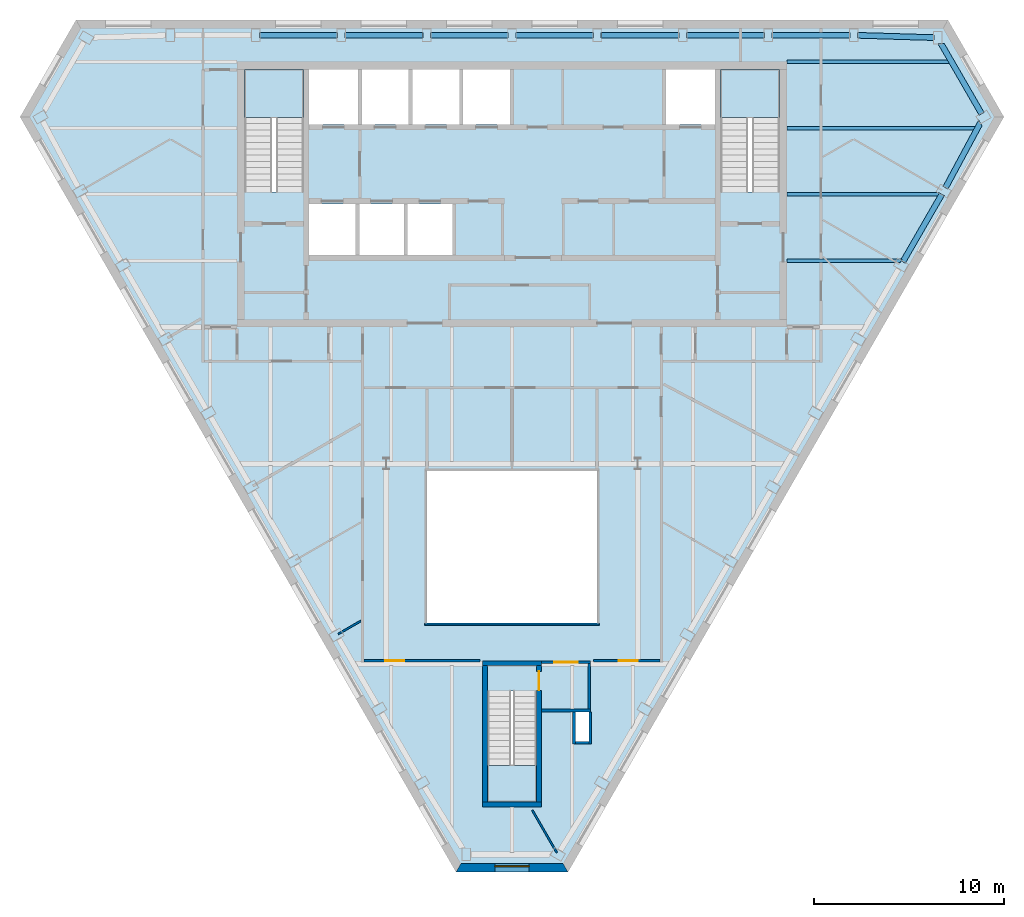
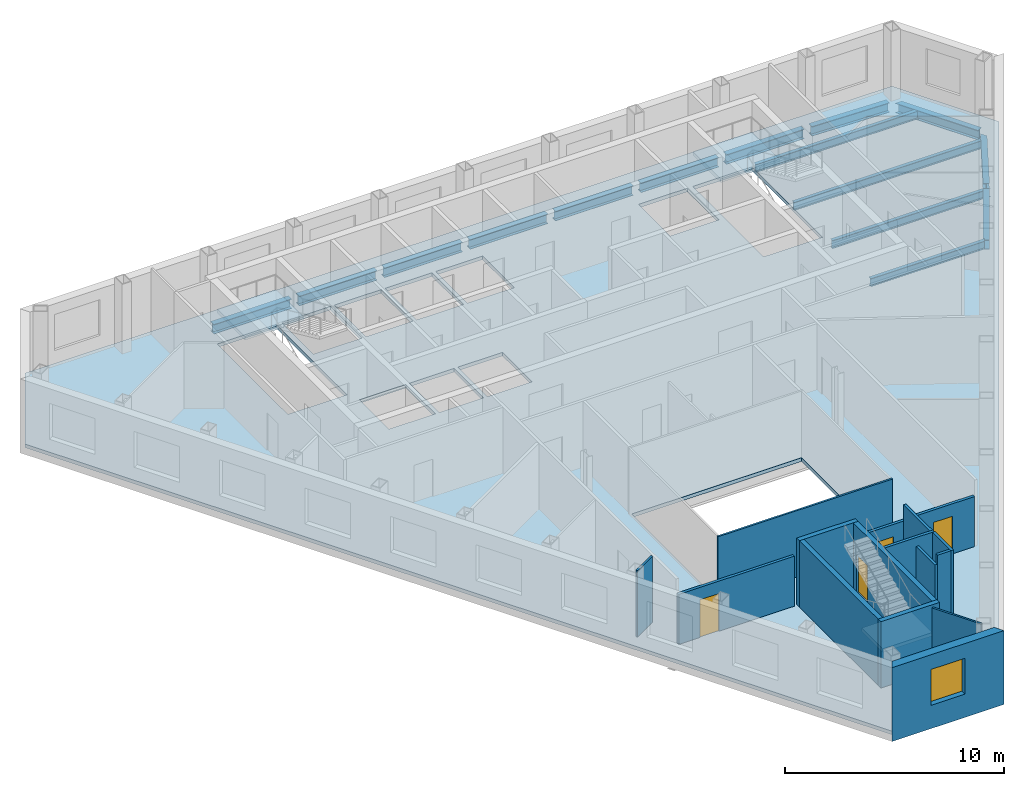
# One storey, part 3 of 10: 16 walls, 15 beams, 4 doors, 4 slabs, 1 window, 5 openings, 3 elements without a shape of their own.
"""IFC4 building model written with IfcOpenShell, lengths in metres."""

from ifc_helpers import new_model, si_unit, direction, frame, frame_2d, origin, origin_2d, place, context, subcontext, project, spatial, polyline, rectangle, i_section, outline, extrude, clip, halfspace, material, layer, layer_set, material_profile, profile_set, type_object, element, fill, aggregate, save


model = new_model("IFC4")

# Units and contexts
model_context = context("Model", 3, precision=1e-05, world=origin(), true_north=direction((0.0, 1.0)))
body_context = subcontext(model_context, "Body", "Model", "MODEL_VIEW")
ifc_project = project(units=[si_unit("LENGTHUNIT", "METRE"), si_unit("AREAUNIT", "SQUARE_METRE"), si_unit("VOLUMEUNIT", "CUBIC_METRE"), si_unit("PLANEANGLEUNIT", "RADIAN"), si_unit("MASSUNIT", "GRAM", prefix="KILO")], contexts=[model_context])

# Site, building, storey
site_placement = place(None, origin())
site = spatial("IfcSite", under=ifc_project, at=site_placement, CompositionType="ELEMENT")
building_placement = place(site_placement, origin())
building = spatial("IfcBuilding", under=site, at=building_placement, Name="Njiva Tower", CompositionType="ELEMENT")
storey_placement = place(building_placement, frame((0.0, 0.0, 264.9)))
storey = spatial("IfcBuildingStorey", under=building, at=storey_placement, Name="L60", CompositionType="ELEMENT", Elevation=264.9)

# Beams
ifc_material_1 = material(Name="Steel S355 J2", Category="steel")
ifc_material_profile_1 = material_profile(ifc_material_1, i_section(OverallWidth=0.19, OverallDepth=0.45, WebThickness=0.0094, FlangeThickness=0.0146, at=origin_2d()), Name="IPE 450")
ifc_profile_set_1 = profile_set([ifc_material_profile_1], Name="Steel S355 J2")
beam_type_1 = type_object("IfcBeamType", Name="B37 Floor beam to the core IPE 450", PredefinedType="BEAM", material=ifc_profile_set_1)
beam_1_placement = place(storey_placement, frame((14.5, 7.5, -0.425), z_axis=(1.0, 0.0, 0.0), x_axis=(0.0, 1.0, 0.0)))
element("IfcBeam", 1, at=beam_1_placement, inside=storey, type_object=beam_type_1, Name="Floor beam to the core S19-B006", PredefinedType="BEAM", context=body_context, shape_type="Clipping", body=[
    clip(extrude(i_section(OverallWidth=0.19, OverallDepth=0.45, WebThickness=0.0094, FlangeThickness=0.0146, at=origin_2d()), origin(), (0.0, 0.0, 1.0), 6.108), halfspace(frame((-0.025, 0.0, 6.019), z_axis=(-0.499998009787, 0.0, 0.866026552831), x_axis=(0.0, 1.0, 0.0)), False)),
])
beam_2_placement = place(storey_placement, frame((14.5, 11.0, -0.425), z_axis=(1.0, 0.0, 0.0), x_axis=(0.0, 1.0, 0.0)))
element("IfcBeam", 2, at=beam_2_placement, inside=storey, type_object=beam_type_1, Name="Floor beam to the core S19-B008", PredefinedType="BEAM", context=body_context, shape_type="Clipping", body=[
    clip(extrude(i_section(OverallWidth=0.19, OverallDepth=0.45, WebThickness=0.0094, FlangeThickness=0.0146, at=origin_2d()), origin(), (0.0, 0.0, 1.0), 8.368), halfspace(frame((0.0433, 0.0, 8.108), z_axis=(0.866026552831, 0.0, 0.499998009787), x_axis=(0.0, 1.0, 0.0)), False)),
])
beam_3_placement = place(storey_placement, frame((14.5, 18.0, -0.425), z_axis=(1.0, 0.0, 0.0), x_axis=(0.0, 1.0, 0.0)))
element("IfcBeam", 3, at=beam_3_placement, inside=storey, type_object=beam_type_1, Name="Floor beam to the core S19-B010", PredefinedType="BEAM", context=body_context, shape_type="Clipping", body=[
    clip(extrude(i_section(OverallWidth=0.19, OverallDepth=0.45, WebThickness=0.0094, FlangeThickness=0.0146, at=origin_2d()), origin(), (0.0, 0.0, 1.0), 8.647), halfspace(frame((0.025, 0.0, 8.5578), z_axis=(0.499998009787, 0.0, 0.866026552831), x_axis=(0.0, 1.0, 0.0)), False)),
])
ifc_material_profile_2 = material_profile(ifc_material_1, i_section(OverallWidth=0.3, OverallDepth=0.54, WebThickness=0.0125, FlangeThickness=0.024, at=origin_2d()), Name="HEA 550")
ifc_profile_set_2 = profile_set([ifc_material_profile_2], Name="Steel S355 J2")
beam_type_2 = type_object("IfcBeamType", Name="B39 Short-span spandrel beam HEA 550", PredefinedType="SPANDREL", material=ifc_profile_set_2)
beam_4_placement = place(storey_placement, frame((22.252, 19.273, -0.47), z_axis=(-0.999547767332, 0.030070929848, 0.0), x_axis=(-0.030070929848, -0.999547767332, 0.0)))
element("IfcBeam", 4, at=beam_4_placement, inside=storey, type_object=beam_type_2, Name="Short-span spandrel beam S19-B121", PredefinedType="SPANDREL", context=body_context, shape_type="SweptSolid", body=[
    extrude(i_section(OverallWidth=0.3, OverallDepth=0.54, WebThickness=0.0125, FlangeThickness=0.024, at=origin_2d()), origin(), (0.0, 0.0, 1.0), 4.0238),
])
beam_5_placement = place(storey_placement, frame((17.826, 19.4, -0.47), z_axis=(-1.0, 0.0, 0.0), x_axis=(0.0, -1.0, 0.0)))
element("IfcBeam", 5, at=beam_5_placement, inside=storey, type_object=beam_type_2, Name="Short-span spandrel beam S19-B115", PredefinedType="SPANDREL", context=body_context, shape_type="SweptSolid", body=[
    extrude(i_section(OverallWidth=0.3, OverallDepth=0.54, WebThickness=0.0125, FlangeThickness=0.024, at=origin_2d()), origin(), (0.0, 0.0, 1.0), 4.106),
])
beam_6_placement = place(storey_placement, frame((13.32, 19.4, -0.47), z_axis=(-1.0, 0.0, 0.0), x_axis=(0.0, -1.0, 0.0)))
element("IfcBeam", 6, at=beam_6_placement, inside=storey, type_object=beam_type_2, Name="Short-span spandrel beam S19-B109", PredefinedType="SPANDREL", context=body_context, shape_type="SweptSolid", body=[
    extrude(i_section(OverallWidth=0.3, OverallDepth=0.54, WebThickness=0.0125, FlangeThickness=0.024, at=origin_2d()), origin(), (0.0, 0.0, 1.0), 4.107),
])
beam_7_placement = place(storey_placement, frame((8.813, 19.4, -0.47), z_axis=(-1.0, 0.0, 0.0), x_axis=(0.0, -1.0, 0.0)))
element("IfcBeam", 7, at=beam_7_placement, inside=storey, type_object=beam_type_2, Name="Short-span spandrel beam S19-B103", PredefinedType="SPANDREL", context=body_context, shape_type="SweptSolid", body=[
    extrude(i_section(OverallWidth=0.3, OverallDepth=0.54, WebThickness=0.0125, FlangeThickness=0.024, at=origin_2d()), origin(), (0.0, 0.0, 1.0), 4.106),
])
for number, where, z_axis, x_axis, name in (
    (8, (4.307, 19.4, -0.47), (-1.0, 0.0, 0.0), (0.0, -1.0, 0.0), "Short-span spandrel beam S19-B100"),
    (9, (-0.2, 19.4, -0.47), (-1.0, 0.0, 0.0), (0.0, -1.0, 0.0), "Short-span spandrel beam S19-B097"),
):
    element("IfcBeam", number, at=place(storey_placement, frame(where, z_axis=z_axis, x_axis=x_axis)), inside=storey, type_object=beam_type_2, Name=name, PredefinedType="SPANDREL", context=body_context, shape_type="SweptSolid", body=[
        extrude(i_section(OverallWidth=0.3, OverallDepth=0.54, WebThickness=0.0125, FlangeThickness=0.024, at=origin_2d()), origin(), (0.0, 0.0, 1.0), 4.107),
    ])
beam_8_placement = place(storey_placement, frame((-4.707, 19.4, -0.47), z_axis=(-1.0, 0.0, 0.0), x_axis=(0.0, -1.0, 0.0)))
element("IfcBeam", 10, at=beam_8_placement, inside=storey, type_object=beam_type_2, Name="Short-span spandrel beam S19-B092", PredefinedType="SPANDREL", context=body_context, shape_type="SweptSolid", body=[
    extrude(i_section(OverallWidth=0.3, OverallDepth=0.54, WebThickness=0.0125, FlangeThickness=0.024, at=origin_2d()), origin(), (0.0, 0.0, 1.0), 4.106),
])
for number, where, z_axis, x_axis, name in (
    (11, (-9.213, 19.4, -0.47), (-1.0, 0.0, 0.0), (0.0, -1.0, 0.0), "Short-span spandrel beam S19-B086"),
    (12, (20.62, 7.449, -0.47), (0.49988405051, 0.866092336905, 0.0), (-0.866092336905, 0.49988405051, 0.0), "Short-span spandrel beam S19-B126"),
):
    element("IfcBeam", number, at=place(storey_placement, frame(where, z_axis=z_axis, x_axis=x_axis)), inside=storey, type_object=beam_type_2, Name=name, PredefinedType="SPANDREL", context=body_context, shape_type="SweptSolid", body=[
        extrude(i_section(OverallWidth=0.3, OverallDepth=0.54, WebThickness=0.0125, FlangeThickness=0.024, at=origin_2d()), origin(), (0.0, 0.0, 1.0), 4.107),
    ])
beam_9_placement = place(storey_placement, frame((22.87, 11.359, -0.47), z_axis=(0.473745879113, 0.880661593362, 0.0), x_axis=(-0.880661593362, 0.473745879113, 0.0)))
element("IfcBeam", 13, at=beam_9_placement, inside=storey, type_object=beam_type_2, Name="Short-span spandrel beam S19-B130", PredefinedType="SPANDREL", context=body_context, shape_type="Clipping", body=[
    clip(extrude(i_section(OverallWidth=0.3, OverallDepth=0.54, WebThickness=0.0125, FlangeThickness=0.024, at=origin_2d()), origin(), (0.0, 0.0, 1.0), 3.9885), halfspace(frame((-0.0262, 0.0, 3.8589), z_axis=(-0.525804327209, 0.0, 0.850605554583), x_axis=(0.0, 1.0, 0.0)), False)),
])
beam_10_placement = place(storey_placement, frame((24.773, 15.255, -0.47), z_axis=(-0.500153222552, 0.865936922628, 0.0), x_axis=(-0.865936922628, -0.500153222552, 0.0)))
element("IfcBeam", 14, at=beam_10_placement, inside=storey, type_object=beam_type_2, Name="Short-span spandrel beam S19-B127", PredefinedType="SPANDREL", context=body_context, shape_type="Clipping", body=[
    clip(extrude(i_section(OverallWidth=0.3, OverallDepth=0.54, WebThickness=0.0125, FlangeThickness=0.024, at=origin_2d()), origin(), (0.0, 0.0, 1.0), 4.3937), halfspace(frame((-0.0254, 0.0, 4.272), z_axis=(-0.500153222552, 0.0, 0.865936922628), x_axis=(0.0, 1.0, 0.0)), False)),
])
ifc_material_profile_3 = material_profile(ifc_material_1, i_section(OverallWidth=0.19, OverallDepth=0.45, WebThickness=0.0094, FlangeThickness=0.0146, at=origin_2d()), Name="IPE 450")
ifc_profile_set_3 = profile_set([ifc_material_profile_3], Name="Steel S355 J2")
beam_type_3 = type_object("IfcBeamType", Name="B45 Long-span floor beam to the core IPE 450", PredefinedType="BEAM", material=ifc_profile_set_3)
beam_11_placement = place(storey_placement, frame((14.5, 14.5, -0.425), z_axis=(1.0, 0.0, 0.0), x_axis=(0.0, 1.0, 0.0)))
element("IfcBeam", 15, at=beam_11_placement, inside=storey, type_object=beam_type_3, Name="Long-span floor beam to the core S19-B009", PredefinedType="BEAM", context=body_context, shape_type="Clipping", body=[
    clip(extrude(i_section(OverallWidth=0.19, OverallDepth=0.45, WebThickness=0.0094, FlangeThickness=0.0146, at=origin_2d()), origin(), (0.0, 0.0, 1.0), 10.017), halfspace(frame((-0.0237, 0.0, 9.9333), z_axis=(-0.47376166762, 0.0, 0.88065309986), x_axis=(0.0, 1.0, 0.0)), False)),
])

# Stair, slab
ifc_material_2 = material(Name="Concrete C40/50", Category="concrete")
stair_type_1 = type_object("IfcStairType", Name="ST3 Exit stair 1450", PredefinedType="HALF_TURN_STAIR", material=ifc_material_2)
stair_1_placement = place(storey_placement, origin())
stair_1 = element("IfcStair", 16, at=stair_1_placement, inside=storey, type_object=stair_type_1, Name="Stair A", PredefinedType="HALF_TURN_STAIR")
ifc_layer_1 = layer(ifc_material_2, 0.2)
ifc_layer_set_1 = layer_set([ifc_layer_1], Name="Concrete C40/50")
slab_type_1 = type_object("IfcSlabType", Name="FL9 Stair landing 200", PredefinedType="LANDING", material=ifc_layer_set_1)
slab_1_placement = place(storey_placement, frame((0.0, 0.0, 1.75)))
slab_1 = element("IfcSlab", 17, at=slab_1_placement, type_object=slab_type_1, Name="ST-A landing 1", PredefinedType="LANDING", context=body_context, shape_type="SweptSolid", body=[
    extrude(outline(polyline([(-14.106, 15.06), (-10.994, 15.06), (-10.994, 17.6), (-14.106, 17.6), (-14.106, 15.06)])), origin(), (0.0, 0.0, 1.0), 0.2),
])
aggregate(stair_1, [slab_1])

stair_2_placement = place(storey_placement, origin())
stair_2 = element("IfcStair", 18, at=stair_2_placement, inside=storey, type_object=stair_type_1, Name="Stair B", PredefinedType="HALF_TURN_STAIR")
slab_2_placement = place(storey_placement, frame((0.0, 0.0, 1.75)))
slab_2 = element("IfcSlab", 19, at=slab_2_placement, type_object=slab_type_1, Name="ST-B landing 1", PredefinedType="LANDING", context=body_context, shape_type="SweptSolid", body=[
    extrude(outline(polyline([(10.994, 15.06), (14.106, 15.06), (14.106, 17.6), (10.994, 17.6), (10.994, 15.06)])), origin(), (0.0, 0.0, 1.0), 0.2),
])
aggregate(stair_2, [slab_2])

stair_type_2 = type_object("IfcStairType", Name="ST1 Exit stair 1250", PredefinedType="HALF_TURN_STAIR", material=ifc_material_2)
stair_3_placement = place(storey_placement, origin())
stair_3 = element("IfcStair", 20, at=stair_3_placement, inside=storey, type_object=stair_type_2, Name="Stair C", PredefinedType="HALF_TURN_STAIR")
slab_3_placement = place(storey_placement, frame((0.0, 0.0, 1.75)))
slab_3 = element("IfcSlab", 21, at=slab_3_placement, type_object=slab_type_1, Name="ST-C landing 1", PredefinedType="LANDING", context=body_context, shape_type="SweptSolid", body=[
    extrude(outline(polyline([(-1.306, -21.05), (1.306, -21.05), (1.306, -19.12), (-1.306, -19.12), (-1.306, -21.05)])), origin(), (0.0, 0.0, 1.0), 0.2),
])
aggregate(stair_3, [slab_3])

# Slab
ifc_material_3 = material(Name="Concrete C30/37", Category="concrete")
ifc_layer_2 = layer(ifc_material_3, 0.2)
ifc_layer_set_2 = layer_set([ifc_layer_2], Name="Concrete C30/37")
slab_type_2 = type_object("IfcSlabType", Name="SL16 Composite floor slab 200", PredefinedType="FLOOR", material=ifc_layer_set_2)
slab_4_placement = place(storey_placement, frame((0.0, 0.0, -0.2)))
element("IfcSlab", 22, at=slab_4_placement, inside=storey, type_object=slab_type_2, Name="Floor slab L60", PredefinedType="FLOOR", context=body_context, shape_type="SweptSolid", body=[
    extrude(outline(polyline([(25.6902, 15.0818), (2.8251, -24.5217), (-2.8251, -24.5217), (-25.6902, 15.0818), (-22.8651, 19.975), (22.8651, 19.975), (25.6902, 15.0818)]), holes=[polyline([(10.994, 11.13), (14.106, 11.13), (14.106, 17.6), (10.994, 17.6), (10.994, 11.13)]), polyline([(8.125, 14.7), (10.7, 14.7), (10.7, 17.6), (8.125, 17.6), (8.125, 14.7)]), polyline([(4.48, -11.6), (4.48, -3.6), (-4.48, -3.6), (-4.48, -11.6), (4.48, -11.6)]), polyline([(3.35, -17.85), (4.05, -17.85), (4.05, -16.3), (3.35, -16.3), (3.35, -17.85)]), polyline([(-1.306, -21.05), (1.306, -21.05), (1.306, -15.19), (-1.306, -15.19), (-1.306, -21.05)]), polyline([(-2.575, 14.7), (-0.1, 14.7), (-0.1, 17.6), (-2.575, 17.6), (-2.575, 14.7)]), polyline([(-2.775, 14.7), (-2.775, 17.6), (-5.25, 17.6), (-5.25, 14.7), (-2.775, 14.7)]), polyline([(-5.5, 7.8), (-3.15, 7.8), (-3.15, 10.5), (-5.5, 10.5), (-5.5, 7.8)]), polyline([(-7.925, 14.7), (-5.45, 14.7), (-5.45, 17.6), (-7.925, 17.6), (-7.925, 14.7)]), polyline([(-8.05, 7.8), (-5.7, 7.8), (-5.7, 10.5), (-8.05, 10.5), (-8.05, 7.8)]), polyline([(-10.7, 14.7), (-8.125, 14.7), (-8.125, 17.6), (-10.7, 17.6), (-10.7, 14.7)]), polyline([(-8.25, 7.8), (-8.25, 10.5), (-10.7, 10.5), (-10.7, 7.8), (-8.25, 7.8)]), polyline([(-10.994, 11.13), (-10.994, 17.6), (-14.106, 17.6), (-14.106, 11.13), (-10.994, 11.13)])]), origin(), (0.0, 0.0, 1.0), 0.2),
])

# Walls
ifc_material_4 = material(Name="Gypsum board on steel studs", Category="gypsum")
ifc_layer_3 = layer(ifc_material_4, 0.1)
ifc_layer_set_3 = layer_set([ifc_layer_3], Name="Gypsum board on steel studs")
wall_type_1 = type_object("IfcWallType", Name="WT20 Gypsum partition 100", PredefinedType="PARTITIONING", material=ifc_layer_set_3)
wall_1_placement = place(storey_placement, frame((-9.167, -12.188, 0.0), z_axis=(0.0, 0.0, 1.0), x_axis=(0.866124840845, 0.499827730395, 0.0)))
element("IfcWall", 23, at=wall_1_placement, inside=storey, type_object=wall_type_1, Name="Partition S19-P013", PredefinedType="PARTITIONING", context=body_context, shape_type="SweptSolid", body=[
    extrude(rectangle(XDim=1.3705, YDim=0.1, at=frame_2d((0.6852, 0.0))), origin(), (0.0, 0.0, 1.0), 3.7),
])
wall_2_placement = place(storey_placement, frame((1.066, -21.475, 0.0), z_axis=(0.0, 0.0, 1.0), x_axis=(0.499944387978, -0.86605750902, 0.0)))
element("IfcWall", 24, at=wall_2_placement, inside=storey, type_object=wall_type_1, Name="Partition S19-P019", PredefinedType="PARTITIONING", context=body_context, shape_type="SweptSolid", body=[
    extrude(rectangle(XDim=2.6003, YDim=0.1, at=frame_2d((1.3002, 0.0))), origin(), (0.0, 0.0, 1.0), 3.7),
])

# Wall, opening, door
ifc_layer_4 = layer(ifc_material_4, 0.15)
ifc_layer_set_4 = layer_set([ifc_layer_4], Name="Gypsum board on steel studs")
wall_type_2 = type_object("IfcWallType", Name="WT21 Compartment wall 150", PredefinedType="PARTITIONING", material=ifc_layer_set_4)
wall_3_placement = place(storey_placement, frame((-7.805, -13.6, 0.0), z_axis=(0.0, 0.0, 1.0), x_axis=(1.0, 0.0, 0.0)))
wall_3 = element("IfcWall", 25, at=wall_3_placement, inside=storey, type_object=wall_type_2, Name="Partition S19-P015", PredefinedType="PARTITIONING", context=body_context, shape_type="SweptSolid", body=[
    extrude(rectangle(XDim=6.105, YDim=0.15, at=frame_2d((3.0525, 0.0))), origin(), (0.0, 0.0, 1.0), 2.79),
])
opening_1_placement = place(wall_3_placement, frame((1.118, 0.0, 0.0)))
opening_1 = element("IfcOpeningElement", 26, at=opening_1_placement, cuts=wall_3, Name="Opening S19-D011", PredefinedType="OPENING", context=body_context, shape_type="SweptSolid", body=[
    extrude(rectangle(XDim=1.0, YDim=2.1, at=frame_2d((0.5, 1.05))), frame((0.0, 0.085, 0.0), z_axis=(0.0, -1.0, 0.0), x_axis=(1.0, 0.0, 0.0)), (0.0, 0.0, 1.0), 0.17),
])
ifc_material_5 = material(Name="Steel fire door set", Category="steel")
door_type_1 = type_object("IfcDoorType", Name="D37 Fire door 1000x2100", OperationType="SINGLE_SWING_LEFT", PredefinedType="DOOR", material=ifc_material_5)
door_1_placement = place(opening_1_placement, origin())
door_1 = element("IfcDoor", 27, at=door_1_placement, inside=storey, type_object=door_type_1, Name="Door S19-D011", OperationType="SINGLE_SWING_LEFT", OverallHeight=2.1, OverallWidth=1.0, PredefinedType="DOOR", context=body_context, shape_type="SweptSolid", body=[
    extrude(rectangle(XDim=1.0, YDim=2.1, at=frame_2d((0.5, 1.05))), frame((0.0, 0.025, 0.0), z_axis=(0.0, -1.0, 0.0), x_axis=(1.0, 0.0, 0.0)), (0.0, 0.0, 1.0), 0.05),
])
fill(opening_1, door_1)

wall_4_placement = place(storey_placement, frame((4.3, -13.6, 0.0), z_axis=(0.0, 0.0, 1.0), x_axis=(1.0, 0.0, 0.0)))
wall_4 = element("IfcWall", 28, at=wall_4_placement, inside=storey, type_object=wall_type_2, Name="Partition S19-P020", PredefinedType="PARTITIONING", context=body_context, shape_type="SweptSolid", body=[
    extrude(rectangle(XDim=3.505, YDim=0.15, at=frame_2d((1.7525, 0.0))), origin(), (0.0, 0.0, 1.0), 2.79),
])
opening_2_placement = place(wall_4_placement, frame((1.336, 0.0, 0.0)))
opening_2 = element("IfcOpeningElement", 29, at=opening_2_placement, cuts=wall_4, Name="Opening S19-D016", PredefinedType="OPENING", context=body_context, shape_type="SweptSolid", body=[
    extrude(rectangle(XDim=1.0, YDim=2.1, at=frame_2d((0.5, 1.05))), frame((0.0, 0.085, 0.0), z_axis=(0.0, -1.0, 0.0), x_axis=(1.0, 0.0, 0.0)), (0.0, 0.0, 1.0), 0.17),
])
door_2_placement = place(opening_2_placement, origin())
door_2 = element("IfcDoor", 30, at=door_2_placement, inside=storey, type_object=door_type_1, Name="Door S19-D016", OperationType="SINGLE_SWING_RIGHT", OverallHeight=2.1, OverallWidth=1.0, PredefinedType="DOOR", context=body_context, shape_type="SweptSolid", body=[
    extrude(rectangle(XDim=1.0, YDim=2.1, at=frame_2d((0.5, 1.05))), frame((0.0, 0.025, 0.0), z_axis=(0.0, -1.0, 0.0), x_axis=(1.0, 0.0, 0.0)), (0.0, 0.0, 1.0), 0.05),
])
fill(opening_2, door_2)

# Walls
ifc_material_6 = material(Name="Blockwork", Category="masonry")
ifc_layer_5 = layer(ifc_material_6, 0.15)
ifc_layer_set_5 = layer_set([ifc_layer_5], Name="Blockwork")
wall_type_3 = type_object("IfcWallType", Name="WT4 Stair partition 150", PredefinedType="PARTITIONING", material=ifc_layer_set_5)
wall_5_placement = place(storey_placement, frame((1.55, -16.225, 0.0), z_axis=(0.0, 0.0, 1.0), x_axis=(1.0, 0.0, 0.0)))
element("IfcWall", 31, at=wall_5_placement, inside=storey, type_object=wall_type_3, Name="Stair C vestibule wall south", PredefinedType="PARTITIONING", context=body_context, shape_type="SweptSolid", body=[
    extrude(rectangle(XDim=2.6, YDim=0.15, at=frame_2d((1.3, 0.0))), origin(), (0.0, 0.0, 1.0), 3.7),
])
wall_6_placement = place(storey_placement, frame((4.075, -16.15, 0.0), z_axis=(0.0, 0.0, 1.0), x_axis=(0.0, 1.0, 0.0)))
element("IfcWall", 32, at=wall_6_placement, inside=storey, type_object=wall_type_3, Name="Stair C vestibule wall east", PredefinedType="PARTITIONING", context=body_context, shape_type="SweptSolid", body=[
    extrude(rectangle(XDim=2.4, YDim=0.15, at=frame_2d((1.2, 0.0))), origin(), (0.0, 0.0, 1.0), 3.7),
])

# Wall, opening, door
wall_7_placement = place(storey_placement, frame((1.55, -13.675, 0.0), z_axis=(0.0, 0.0, 1.0), x_axis=(1.0, 0.0, 0.0)))
wall_7 = element("IfcWall", 33, at=wall_7_placement, inside=storey, type_object=wall_type_3, Name="Stair C vestibule wall north", PredefinedType="PARTITIONING", context=body_context, shape_type="SweptSolid", body=[
    extrude(rectangle(XDim=2.6, YDim=0.15, at=frame_2d((1.3, 0.0))), origin(), (0.0, 0.0, 1.0), 2.79),
])
opening_3_placement = place(wall_7_placement, frame((0.675, 0.0, 0.0)))
opening_3 = element("IfcOpeningElement", 34, at=opening_3_placement, cuts=wall_7, Name="Opening S19-D929", PredefinedType="OPENING", context=body_context, shape_type="SweptSolid", body=[
    extrude(rectangle(XDim=1.25, YDim=2.1, at=frame_2d((0.625, 1.05))), frame((0.0, 0.085, 0.0), z_axis=(0.0, -1.0, 0.0), x_axis=(1.0, 0.0, 0.0)), (0.0, 0.0, 1.0), 0.17),
])
ifc_material_7 = material(Name="Glazed steel fire door", Category="steel")
door_type_2 = type_object("IfcDoorType", Name="D8 Vestibule corridor door 1250x2100 glazed", OperationType="SINGLE_SWING_LEFT", PredefinedType="DOOR", material=ifc_material_7)
door_3_placement = place(opening_3_placement, origin())
door_3 = element("IfcDoor", 35, at=door_3_placement, inside=storey, type_object=door_type_2, Name="Stair vestibule corridor door", OperationType="SINGLE_SWING_RIGHT", OverallHeight=2.1, OverallWidth=1.25, PredefinedType="DOOR", context=body_context, shape_type="SweptSolid", body=[
    extrude(rectangle(XDim=1.25, YDim=2.1, at=frame_2d((0.625, 1.05))), frame((0.0, 0.025, 0.0), z_axis=(0.0, -1.0, 0.0), x_axis=(1.0, 0.0, 0.0)), (0.0, 0.0, 1.0), 0.05),
])
fill(opening_3, door_3)

# Walls
wall_8_placement = place(storey_placement, frame((3.275, -18.0, 0.0), z_axis=(0.0, 0.0, 1.0), x_axis=(0.0, 1.0, 0.0)))
element("IfcWall", 36, at=wall_8_placement, inside=storey, type_object=wall_type_3, Name="Stair C pressurisation shaft wall", PredefinedType="PARTITIONING", context=body_context, shape_type="SweptSolid", body=[
    extrude(rectangle(XDim=1.7, YDim=0.15, at=frame_2d((0.85, 0.0))), origin(), (0.0, 0.0, 1.0), 3.2),
])
wall_9_placement = place(storey_placement, frame((3.35, -17.925, 0.0), z_axis=(0.0, 0.0, 1.0), x_axis=(1.0, 0.0, 0.0)))
element("IfcWall", 37, at=wall_9_placement, inside=storey, type_object=wall_type_3, Name="Stair C pressurisation shaft wall", PredefinedType="PARTITIONING", context=body_context, shape_type="SweptSolid", body=[
    extrude(rectangle(XDim=0.7, YDim=0.15, at=frame_2d((0.35, 0.0))), origin(), (0.0, 0.0, 1.0), 3.7),
])
wall_10_placement = place(storey_placement, frame((4.125, -18.0, 0.0), z_axis=(0.0, 0.0, 1.0), x_axis=(0.0, 1.0, 0.0)))
element("IfcWall", 38, at=wall_10_placement, inside=storey, type_object=wall_type_3, Name="Stair C pressurisation shaft wall", PredefinedType="PARTITIONING", context=body_context, shape_type="SweptSolid", body=[
    extrude(rectangle(XDim=1.7, YDim=0.15, at=frame_2d((0.85, 0.0))), origin(), (0.0, 0.0, 1.0), 3.7),
])
ifc_layer_6 = layer(ifc_material_2, 0.25)
ifc_layer_set_6 = layer_set([ifc_layer_6], Name="Concrete C40/50")
wall_type_4 = type_object("IfcWallType", Name="WT9 Stair enclosure wall 250", PredefinedType="SHEAR", material=ifc_layer_set_6)
wall_11_placement = place(storey_placement, frame((-1.425, -21.05, 0.0), z_axis=(0.0, 0.0, 1.0), x_axis=(0.0, 1.0, 0.0)))
element("IfcWall", 39, at=wall_11_placement, inside=storey, type_object=wall_type_4, Name="Stair C wall west", PredefinedType="SHEAR", context=body_context, shape_type="SweptSolid", body=[
    extrude(rectangle(XDim=7.2, YDim=0.25, at=frame_2d((3.6, 0.0))), origin(), (0.0, 0.0, 1.0), 3.7),
])

# Wall, opening, door
wall_12_placement = place(storey_placement, frame((1.425, -21.05, 0.0), z_axis=(0.0, 0.0, 1.0), x_axis=(0.0, 1.0, 0.0)))
wall_12 = element("IfcWall", 40, at=wall_12_placement, inside=storey, type_object=wall_type_4, Name="Stair C wall east", PredefinedType="SHEAR", context=body_context, shape_type="SweptSolid", body=[
    extrude(rectangle(XDim=7.2, YDim=0.25, at=frame_2d((3.6, 0.0))), origin(), (0.0, 0.0, 1.0), 3.7),
])
opening_4_placement = place(wall_12_placement, frame((5.89, 0.0, 0.0)))
opening_4 = element("IfcOpeningElement", 41, at=opening_4_placement, cuts=wall_12, Name="Opening S19-D928", PredefinedType="OPENING", context=body_context, shape_type="SweptSolid", body=[
    extrude(rectangle(XDim=1.0, YDim=2.1, at=frame_2d((0.5, 1.05))), frame((0.0, 0.135, 0.0), z_axis=(0.0, -1.0, 0.0), x_axis=(1.0, 0.0, 0.0)), (0.0, 0.0, 1.0), 0.27),
])
door_type_3 = type_object("IfcDoorType", Name="D9 Stair vestibule door 1000x2100 glazed", OperationType="SINGLE_SWING_LEFT", PredefinedType="DOOR", material=ifc_material_7)
door_4_placement = place(opening_4_placement, origin())
door_4 = element("IfcDoor", 42, at=door_4_placement, inside=storey, type_object=door_type_3, Name="Stair C door", OperationType="SINGLE_SWING_LEFT", OverallHeight=2.1, OverallWidth=1.0, PredefinedType="DOOR", context=body_context, shape_type="SweptSolid", body=[
    extrude(rectangle(XDim=1.0, YDim=2.1, at=frame_2d((0.5, 1.05))), frame((0.0, 0.025, 0.0), z_axis=(0.0, -1.0, 0.0), x_axis=(1.0, 0.0, 0.0)), (0.0, 0.0, 1.0), 0.05),
])
fill(opening_4, door_4)

# Walls
for number, where, z_axis, x_axis, name in (
    (43, (-1.55, -21.175, 0.0), (0.0, 0.0, 1.0), (1.0, 0.0, 0.0), "Stair C wall south"),
    (44, (-1.55, -13.725, 0.0), (0.0, 0.0, 1.0), (1.0, 0.0, 0.0), "Stair C wall north"),
):
    element("IfcWall", number, at=place(storey_placement, frame(where, z_axis=z_axis, x_axis=x_axis)), inside=storey, type_object=wall_type_4, Name=name, PredefinedType="SHEAR", context=body_context, shape_type="SweptSolid", body=[
        extrude(rectangle(XDim=3.1, YDim=0.25, at=frame_2d((1.55, 0.0))), origin(), (0.0, 0.0, 1.0), 3.7),
    ])

# Wall, opening, window
ifc_material_8 = material(Name="Brick masonry, buff", Category="masonry")
ifc_layer_7 = layer(ifc_material_8, 0.45)
ifc_layer_set_7 = layer_set([ifc_layer_7], Name="Brick masonry, buff")
wall_type_5 = type_object("IfcWallType", Name="WT94 Brick pier and spandrel wall 450, buff", PredefinedType="SOLIDWALL", material=ifc_layer_set_7)
wall_13_placement = place(storey_placement, frame((-2.8251, -24.5217, -0.4), z_axis=(0.0, 0.0, 1.0), x_axis=(1.0, 0.0, 0.0)))
wall_13 = element("IfcWall", 45, at=wall_13_placement, inside=storey, type_object=wall_type_5, Name="Facade wall S", PredefinedType="SOLIDWALL", context=body_context, shape_type="SweptSolid", body=[
    extrude(outline(polyline([(-0.1299, -0.225), (5.7801, -0.225), (5.5203, 0.225), (0.1299, 0.225), (-0.1299, -0.225)])), origin(), (0.0, 0.0, 1.0), 4.12),
])
opening_5_placement = place(wall_13_placement, frame((1.9251, 0.0, 1.3)))
opening_5 = element("IfcOpeningElement", 46, at=opening_5_placement, cuts=wall_13, Name="Opening S19-W19", PredefinedType="OPENING", context=body_context, shape_type="SweptSolid", body=[
    extrude(rectangle(XDim=1.8, YDim=2.0, at=frame_2d((0.9, 1.0))), frame((0.0, 0.235, 0.0), z_axis=(0.0, -1.0, 0.0), x_axis=(1.0, 0.0, 0.0)), (0.0, 0.0, 1.0), 0.47),
])
ifc_material_9 = material(Name="Clear glazing in aluminium frame", Category="aluminium")
window_type = type_object("IfcWindowType", Name="W94 Deep-set window 1800x2000", PartitioningType="SINGLE_PANEL", PredefinedType="WINDOW", material=ifc_material_9)
window_placement = place(opening_5_placement, origin())
window = element("IfcWindow", 47, at=window_placement, inside=storey, type_object=window_type, Name="Window", OverallHeight=2.0, OverallWidth=1.8, PartitioningType="SINGLE_PANEL", PredefinedType="WINDOW", context=body_context, shape_type="SweptSolid", body=[
    extrude(rectangle(XDim=1.8, YDim=2.0, at=frame_2d((0.9, 1.0))), frame((0.0, 0.105, 0.0), z_axis=(0.0, -1.0, 0.0), x_axis=(1.0, 0.0, 0.0)), (0.0, 0.0, 1.0), 0.06),
])
fill(opening_5, window)

# Wall
ifc_material_10 = material(Name="Fire-resisting glazing EI 90", Category="glass")
ifc_layer_8 = layer(ifc_material_10, 0.1)
ifc_layer_set_8 = layer_set([ifc_layer_8], Name="Fire-resisting glazing EI 90")
wall_type_6 = type_object("IfcWallType", Name="WT95 Fire-resisting glazed screen EI 90", PredefinedType="PARTITIONING", material=ifc_layer_set_8)
wall_14_placement = place(storey_placement, frame((-4.6, -11.67, 0.0), z_axis=(0.0, 0.0, 1.0), x_axis=(1.0, 0.0, 0.0)))
element("IfcWall", 48, at=wall_14_placement, inside=storey, type_object=wall_type_6, Name="Atrium fire screen south", PredefinedType="PARTITIONING", context=body_context, shape_type="SweptSolid", body=[
    extrude(rectangle(XDim=9.2, YDim=0.1, at=frame_2d((4.6, 0.0))), origin(), (0.0, 0.0, 1.0), 3.7),
])

save(model, "model.ifc")
